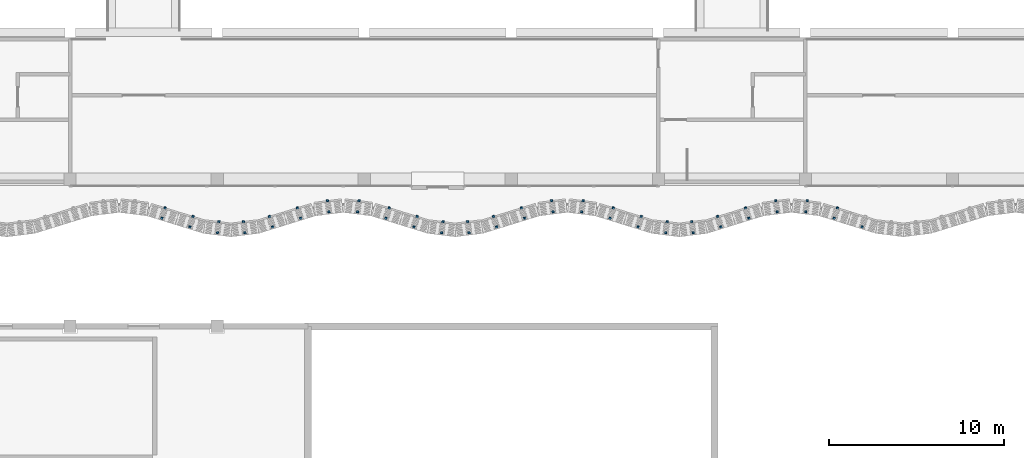
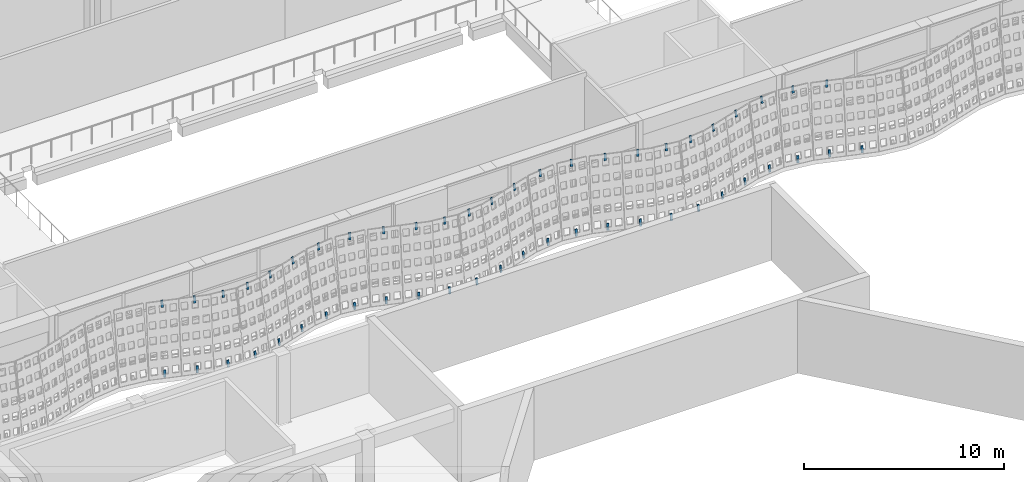
# One storey, part 110 of 162: 51 discrete accessories.
"""IFC4 building model written with IfcOpenShell, lengths in metres."""

from ifc_helpers import new_model, si_unit, direction, frame, origin, origin_2d, place, context, subcontext, project, spatial, rectangle, extrude, material, material_profile, profile_set, type_object, element, save


model = new_model("IFC4")

# Units and contexts
model_context = context("Model", 3, precision=1e-05, world=origin(), true_north=direction((0.0, 1.0)))
body_context = subcontext(model_context, "Body", "Model", "MODEL_VIEW")
ifc_project = project(units=[si_unit("LENGTHUNIT", "METRE"), si_unit("AREAUNIT", "SQUARE_METRE"), si_unit("VOLUMEUNIT", "CUBIC_METRE"), si_unit("PLANEANGLEUNIT", "RADIAN"), si_unit("MASSUNIT", "GRAM", prefix="KILO")], contexts=[model_context])

# Site, building, storey
site_placement = place(None, origin())
site = spatial("IfcSite", under=ifc_project, at=site_placement, CompositionType="ELEMENT")
building_placement = place(site_placement, origin())
building = spatial("IfcBuilding", under=site, at=building_placement, Name="Rain Tree Exposition and Congress Centre", CompositionType="ELEMENT")
storey_placement = place(building_placement, frame((0.0, 0.0, 6.0)))
storey = spatial("IfcBuildingStorey", under=building, at=storey_placement, Name="L01", CompositionType="ELEMENT", Elevation=6.0)

# Discrete accessories
ifc_material = material(Name="Steel S355J2", Category="steel")
ifc_material_profile = material_profile(ifc_material, rectangle(XDim=0.1201171875, YDim=0.050048828125, at=origin_2d()), Name="Flat bar 120x50")
ifc_profile_set = profile_set([ifc_material_profile], Name="Steel S355J2")
discrete_accessory_type = type_object("IfcDiscreteAccessoryType", Name="Screen bracket 120x50", PredefinedType="BRACKET", material=ifc_profile_set)
for number, where, z_axis, x_axis, name in (
    (1, (181.813232421875, 73.936279296875, 3.85107421875), (0.046383656621, 0.150746884018, 0.987483637007), (-0.955779008722, 0.294085848838, 0.0), "concourse/bracket/L01/1141t"),
    (2, (181.631103515625, 73.347412109375, 0.00390625), (0.04637938116, 0.151343243786, 0.9873926147), (-0.956111824862, 0.293002010845, 0.0), "concourse/bracket/L01/1141b"),
    (3, (183.409912109375, 73.4423828125, 3.85107421875), (0.04699262887, 0.150742588713, 0.987455500152), (-0.954686073127, 0.297614686764, 0.0), "concourse/bracket/L01/1151t"),
    (4, (183.227783203125, 72.853515625, 0.00390625), (0.046383656621, 0.150746884018, 0.987483637007), (-0.955779008722, 0.294085848838, 0.0), "concourse/bracket/L01/1151b"),
):
    element("IfcDiscreteAccessory", number, at=place(storey_placement, frame(where, z_axis=z_axis, x_axis=x_axis)), inside=storey, type_object=discrete_accessory_type, Name=name, PredefinedType="BRACKET", context=body_context, shape_type="SweptSolid", body=[
        extrude(rectangle(XDim=0.1201171875, YDim=0.050048828125, at=origin_2d()), origin(), (0.0, 0.0, 1.0), 0.400146484375),
    ])
for number, where, z_axis, x_axis, name in (
    (5, (184.89306640625, 73.141357421875, 3.851318359375), (0.020753706516, 0.162977636468, 0.986411462665), (-0.991989449114, 0.12632075382, 0.0), "concourse/bracket/L01/1161t"),
    (6, (184.811767578125, 72.506591796875, 0.004150390625), (0.020753706516, 0.162977636468, 0.986411462665), (-0.991989449114, 0.12632075382, 0.0), "concourse/bracket/L01/1161b"),
    (7, (186.306884765625, 73.141357421875, 3.851318359375), (-0.020753706516, 0.162977636468, 0.986411462665), (-0.991989449114, -0.12632075382, 0.0), "concourse/bracket/L01/1171t"),
    (8, (186.38818359375, 72.506591796875, 0.004150390625), (-0.020753706516, 0.162977636468, 0.986411462665), (-0.991989449114, -0.12632075382, 0.0), "concourse/bracket/L01/1171b"),
):
    element("IfcDiscreteAccessory", number, at=place(storey_placement, frame(where, z_axis=z_axis, x_axis=x_axis)), inside=storey, type_object=discrete_accessory_type, Name=name, PredefinedType="BRACKET", context=body_context, shape_type="SweptSolid", body=[
        extrude(rectangle(XDim=0.1201171875, YDim=0.050048828125, at=origin_2d()), origin(), (0.0, 0.0, 1.0), 0.39990234375),
    ])
for number, where, z_axis, x_axis, name in (
    (9, (187.7900390625, 73.4423828125, 3.85107421875), (-0.046383656621, 0.150746884018, 0.987483637007), (-0.955779008722, -0.294085848838, 0.0), "concourse/bracket/L01/1181t"),
    (10, (187.972412109375, 72.853515625, 0.00390625), (-0.04699262887, 0.150742588713, 0.987455500152), (-0.954686073127, -0.297614686764, 0.0), "concourse/bracket/L01/1181b"),
    (11, (189.38671875, 73.936279296875, 3.85107421875), (-0.046383656621, 0.150746884018, 0.987483637007), (-0.955779008722, -0.294085848838, 0.0), "concourse/bracket/L01/1191t"),
    (12, (189.569091796875, 73.347412109375, 0.00390625), (-0.046988297524, 0.151338932283, 0.987364485624), (-0.955026538869, -0.296520336665, 0.0), "concourse/bracket/L01/1191b"),
):
    element("IfcDiscreteAccessory", number, at=place(storey_placement, frame(where, z_axis=z_axis, x_axis=x_axis)), inside=storey, type_object=discrete_accessory_type, Name=name, PredefinedType="BRACKET", context=body_context, shape_type="SweptSolid", body=[
        extrude(rectangle(XDim=0.1201171875, YDim=0.050048828125, at=origin_2d()), origin(), (0.0, 0.0, 1.0), 0.400146484375),
    ])
for number, where, z_axis, x_axis, name in (
    (13, (191.105224609375, 74.336181640625, 3.851318359375), (-0.020753706516, 0.162977636468, 0.986411462665), (-0.991989449114, -0.12632075382, 0.0), "concourse/bracket/L01/1201t"),
    (14, (191.1865234375, 73.701416015625, 0.004150390625), (-0.020753706516, 0.162977636468, 0.986411462665), (-0.991989449114, -0.12632075382, 0.0), "concourse/bracket/L01/1201b"),
    (15, (192.894775390625, 74.336181640625, 3.851318359375), (0.020753706516, 0.162977636468, 0.986411462665), (-0.991989449114, 0.12632075382, 0.0), "concourse/bracket/L01/1211t"),
    (16, (192.8134765625, 73.701416015625, 0.004150390625), (0.020753706516, 0.162977636468, 0.986411462665), (-0.991989449114, 0.12632075382, 0.0), "concourse/bracket/L01/1211b"),
):
    element("IfcDiscreteAccessory", number, at=place(storey_placement, frame(where, z_axis=z_axis, x_axis=x_axis)), inside=storey, type_object=discrete_accessory_type, Name=name, PredefinedType="BRACKET", context=body_context, shape_type="SweptSolid", body=[
        extrude(rectangle(XDim=0.1201171875, YDim=0.050048828125, at=origin_2d()), origin(), (0.0, 0.0, 1.0), 0.39990234375),
    ])
for number, where, z_axis, x_axis, name in (
    (17, (194.61328125, 73.936279296875, 3.85107421875), (0.046383656621, 0.150746884018, 0.987483637007), (-0.955779008722, 0.294085848838, 0.0), "concourse/bracket/L01/1221t"),
    (18, (194.430908203125, 73.347412109375, 0.00390625), (0.046988297524, 0.151338932283, 0.987364485624), (-0.955026538869, 0.296520336665, 0.0), "concourse/bracket/L01/1221b"),
    (19, (196.2099609375, 73.4423828125, 3.85107421875), (0.046383656621, 0.150746884018, 0.987483637007), (-0.955779008722, 0.294085848838, 0.0), "concourse/bracket/L01/1231t"),
    (20, (196.027587890625, 72.853515625, 0.00390625), (0.04699262887, 0.150742588713, 0.987455500152), (-0.954686073127, 0.297614686764, 0.0), "concourse/bracket/L01/1231b"),
):
    element("IfcDiscreteAccessory", number, at=place(storey_placement, frame(where, z_axis=z_axis, x_axis=x_axis)), inside=storey, type_object=discrete_accessory_type, Name=name, PredefinedType="BRACKET", context=body_context, shape_type="SweptSolid", body=[
        extrude(rectangle(XDim=0.1201171875, YDim=0.050048828125, at=origin_2d()), origin(), (0.0, 0.0, 1.0), 0.400146484375),
    ])
for number, where, z_axis, x_axis, name in (
    (21, (197.693115234375, 73.141357421875, 3.851318359375), (0.020753706516, 0.162977636468, 0.986411462665), (-0.991989449114, 0.12632075382, 0.0), "concourse/bracket/L01/1241t"),
    (22, (197.61181640625, 72.506591796875, 0.004150390625), (0.020753706516, 0.162977636468, 0.986411462665), (-0.991989449114, 0.12632075382, 0.0), "concourse/bracket/L01/1241b"),
    (23, (199.10693359375, 73.141357421875, 3.851318359375), (-0.020753706516, 0.162977636468, 0.986411462665), (-0.991989449114, -0.12632075382, 0.0), "concourse/bracket/L01/1251t"),
    (24, (199.188232421875, 72.506591796875, 0.004150390625), (-0.020753706516, 0.162977636468, 0.986411462665), (-0.991989449114, -0.12632075382, 0.0), "concourse/bracket/L01/1251b"),
):
    element("IfcDiscreteAccessory", number, at=place(storey_placement, frame(where, z_axis=z_axis, x_axis=x_axis)), inside=storey, type_object=discrete_accessory_type, Name=name, PredefinedType="BRACKET", context=body_context, shape_type="SweptSolid", body=[
        extrude(rectangle(XDim=0.1201171875, YDim=0.050048828125, at=origin_2d()), origin(), (0.0, 0.0, 1.0), 0.39990234375),
    ])
for number, where, z_axis, x_axis, name in (
    (25, (200.590087890625, 73.4423828125, 3.85107421875), (-0.04699262887, 0.150742588713, 0.987455500152), (-0.954686073127, -0.297614686764, 0.0), "concourse/bracket/L01/1261t"),
    (26, (200.772216796875, 72.853515625, 0.00390625), (-0.046383656621, 0.150746884018, 0.987483637007), (-0.955779008722, -0.294085848838, 0.0), "concourse/bracket/L01/1261b"),
    (27, (202.186767578125, 73.936279296875, 3.85107421875), (-0.046383656621, 0.150746884018, 0.987483637007), (-0.955779008722, -0.294085848838, 0.0), "concourse/bracket/L01/1271t"),
    (28, (202.368896484375, 73.347412109375, 0.00390625), (-0.04637938116, 0.151343243786, 0.9873926147), (-0.956111824862, -0.293002010845, 0.0), "concourse/bracket/L01/1271b"),
):
    element("IfcDiscreteAccessory", number, at=place(storey_placement, frame(where, z_axis=z_axis, x_axis=x_axis)), inside=storey, type_object=discrete_accessory_type, Name=name, PredefinedType="BRACKET", context=body_context, shape_type="SweptSolid", body=[
        extrude(rectangle(XDim=0.1201171875, YDim=0.050048828125, at=origin_2d()), origin(), (0.0, 0.0, 1.0), 0.400146484375),
    ])
for number, where, z_axis, x_axis, name in (
    (29, (203.9052734375, 74.336181640625, 3.851318359375), (-0.020753706516, 0.162977636468, 0.986411462665), (-0.991989449114, -0.12632075382, 0.0), "concourse/bracket/L01/1281t"),
    (30, (203.986572265625, 73.701416015625, 0.004150390625), (-0.020753706516, 0.162977636468, 0.986411462665), (-0.991989449114, -0.12632075382, 0.0), "concourse/bracket/L01/1281b"),
    (31, (205.694580078125, 74.336181640625, 3.851318359375), (0.020753706516, 0.162977636468, 0.986411462665), (-0.991989449114, 0.12632075382, 0.0), "concourse/bracket/L01/1291t"),
    (32, (205.61328125, 73.701416015625, 0.004150390625), (0.020753706516, 0.162977636468, 0.986411462665), (-0.991989449114, 0.12632075382, 0.0), "concourse/bracket/L01/1291b"),
):
    element("IfcDiscreteAccessory", number, at=place(storey_placement, frame(where, z_axis=z_axis, x_axis=x_axis)), inside=storey, type_object=discrete_accessory_type, Name=name, PredefinedType="BRACKET", context=body_context, shape_type="SweptSolid", body=[
        extrude(rectangle(XDim=0.1201171875, YDim=0.050048828125, at=origin_2d()), origin(), (0.0, 0.0, 1.0), 0.39990234375),
    ])
for number, where, z_axis, x_axis, name in (
    (33, (207.4130859375, 73.936279296875, 3.85107421875), (0.04699262887, 0.150742588713, 0.987455500152), (-0.954686073127, 0.297614686764, 0.0), "concourse/bracket/L01/1301t"),
    (34, (207.23095703125, 73.347412109375, 0.00390625), (0.046988297524, 0.151338932283, 0.987364485624), (-0.955026538869, 0.296520336665, 0.0), "concourse/bracket/L01/1301b"),
    (35, (209.010009765625, 73.4423828125, 3.85107421875), (0.046383656621, 0.150746884018, 0.987483637007), (-0.955779008722, 0.294085848838, 0.0), "concourse/bracket/L01/1311t"),
    (36, (208.82763671875, 72.853515625, 0.00390625), (0.04699262887, 0.150742588713, 0.987455500152), (-0.954686073127, 0.297614686764, 0.0), "concourse/bracket/L01/1311b"),
):
    element("IfcDiscreteAccessory", number, at=place(storey_placement, frame(where, z_axis=z_axis, x_axis=x_axis)), inside=storey, type_object=discrete_accessory_type, Name=name, PredefinedType="BRACKET", context=body_context, shape_type="SweptSolid", body=[
        extrude(rectangle(XDim=0.1201171875, YDim=0.050048828125, at=origin_2d()), origin(), (0.0, 0.0, 1.0), 0.400146484375),
    ])
for number, where, z_axis, x_axis, name in (
    (37, (210.492919921875, 73.141357421875, 3.851318359375), (0.021363835031, 0.162975541524, 0.986398783159), (-0.991517377774, 0.129974188098, 0.0), "concourse/bracket/L01/1321t"),
    (38, (210.41162109375, 72.506591796875, 0.004150390625), (0.020753706516, 0.162977636468, 0.986411462665), (-0.991989449114, 0.12632075382, 0.0), "concourse/bracket/L01/1321b"),
    (39, (211.906982421875, 73.141357421875, 3.851318359375), (-0.020753706516, 0.162977636468, 0.986411462665), (-0.991989449114, -0.12632075382, 0.0), "concourse/bracket/L01/1331t"),
    (40, (211.98828125, 72.506591796875, 0.004150390625), (-0.020753706516, 0.162977636468, 0.986411462665), (-0.991989449114, -0.12632075382, 0.0), "concourse/bracket/L01/1331b"),
):
    element("IfcDiscreteAccessory", number, at=place(storey_placement, frame(where, z_axis=z_axis, x_axis=x_axis)), inside=storey, type_object=discrete_accessory_type, Name=name, PredefinedType="BRACKET", context=body_context, shape_type="SweptSolid", body=[
        extrude(rectangle(XDim=0.1201171875, YDim=0.050048828125, at=origin_2d()), origin(), (0.0, 0.0, 1.0), 0.39990234375),
    ])
for number, where, z_axis, x_axis, name in (
    (41, (213.39013671875, 73.4423828125, 3.85107421875), (-0.04699262887, 0.150742588713, 0.987455500152), (-0.954686073127, -0.297614686764, 0.0), "concourse/bracket/L01/1341t"),
    (42, (213.572265625, 72.853515625, 0.00390625), (-0.046383656621, 0.150746884018, 0.987483637007), (-0.955779008722, -0.294085848838, 0.0), "concourse/bracket/L01/1341b"),
    (43, (214.98681640625, 73.936279296875, 3.85107421875), (-0.04699262887, 0.150742588713, 0.987455500152), (-0.954686073127, -0.297614686764, 0.0), "concourse/bracket/L01/1351t"),
    (44, (215.1689453125, 73.347412109375, 0.00390625), (-0.04637938116, 0.151343243786, 0.9873926147), (-0.956111824862, -0.293002010845, 0.0), "concourse/bracket/L01/1351b"),
):
    element("IfcDiscreteAccessory", number, at=place(storey_placement, frame(where, z_axis=z_axis, x_axis=x_axis)), inside=storey, type_object=discrete_accessory_type, Name=name, PredefinedType="BRACKET", context=body_context, shape_type="SweptSolid", body=[
        extrude(rectangle(XDim=0.1201171875, YDim=0.050048828125, at=origin_2d()), origin(), (0.0, 0.0, 1.0), 0.400146484375),
    ])
for number, where, z_axis, x_axis, name in (
    (45, (216.705322265625, 74.336181640625, 3.851318359375), (-0.020753706516, 0.162977636468, 0.986411462665), (-0.991989449114, -0.12632075382, 0.0), "concourse/bracket/L01/1361t"),
    (46, (216.78662109375, 73.701416015625, 0.004150390625), (-0.020753706516, 0.162977636468, 0.986411462665), (-0.991989449114, -0.12632075382, 0.0), "concourse/bracket/L01/1361b"),
    (47, (218.49462890625, 74.336181640625, 3.851318359375), (0.020753706516, 0.162977636468, 0.986411462665), (-0.991989449114, 0.12632075382, 0.0), "concourse/bracket/L01/1371t"),
    (48, (218.413330078125, 73.701416015625, 0.004150390625), (0.020753706516, 0.162977636468, 0.986411462665), (-0.991989449114, 0.12632075382, 0.0), "concourse/bracket/L01/1371b"),
):
    element("IfcDiscreteAccessory", number, at=place(storey_placement, frame(where, z_axis=z_axis, x_axis=x_axis)), inside=storey, type_object=discrete_accessory_type, Name=name, PredefinedType="BRACKET", context=body_context, shape_type="SweptSolid", body=[
        extrude(rectangle(XDim=0.1201171875, YDim=0.050048828125, at=origin_2d()), origin(), (0.0, 0.0, 1.0), 0.39990234375),
    ])
for number, where, z_axis, x_axis, name in (
    (49, (220.213134765625, 73.936279296875, 3.85107421875), (0.04699262887, 0.150742588713, 0.987455500152), (-0.954686073127, 0.297614686764, 0.0), "concourse/bracket/L01/1381t"),
    (50, (220.031005859375, 73.347412109375, 0.00390625), (0.046988297524, 0.151338932283, 0.987364485624), (-0.955026538869, 0.296520336665, 0.0), "concourse/bracket/L01/1381b"),
    (51, (221.627685546875, 72.853515625, 0.00390625), (0.04699262887, 0.150742588713, 0.987455500152), (-0.954686073127, 0.297614686764, 0.0), "concourse/bracket/L01/1391b"),
):
    element("IfcDiscreteAccessory", number, at=place(storey_placement, frame(where, z_axis=z_axis, x_axis=x_axis)), inside=storey, type_object=discrete_accessory_type, Name=name, PredefinedType="BRACKET", context=body_context, shape_type="SweptSolid", body=[
        extrude(rectangle(XDim=0.1201171875, YDim=0.050048828125, at=origin_2d()), origin(), (0.0, 0.0, 1.0), 0.400146484375),
    ])

save(model, "model.ifc")
